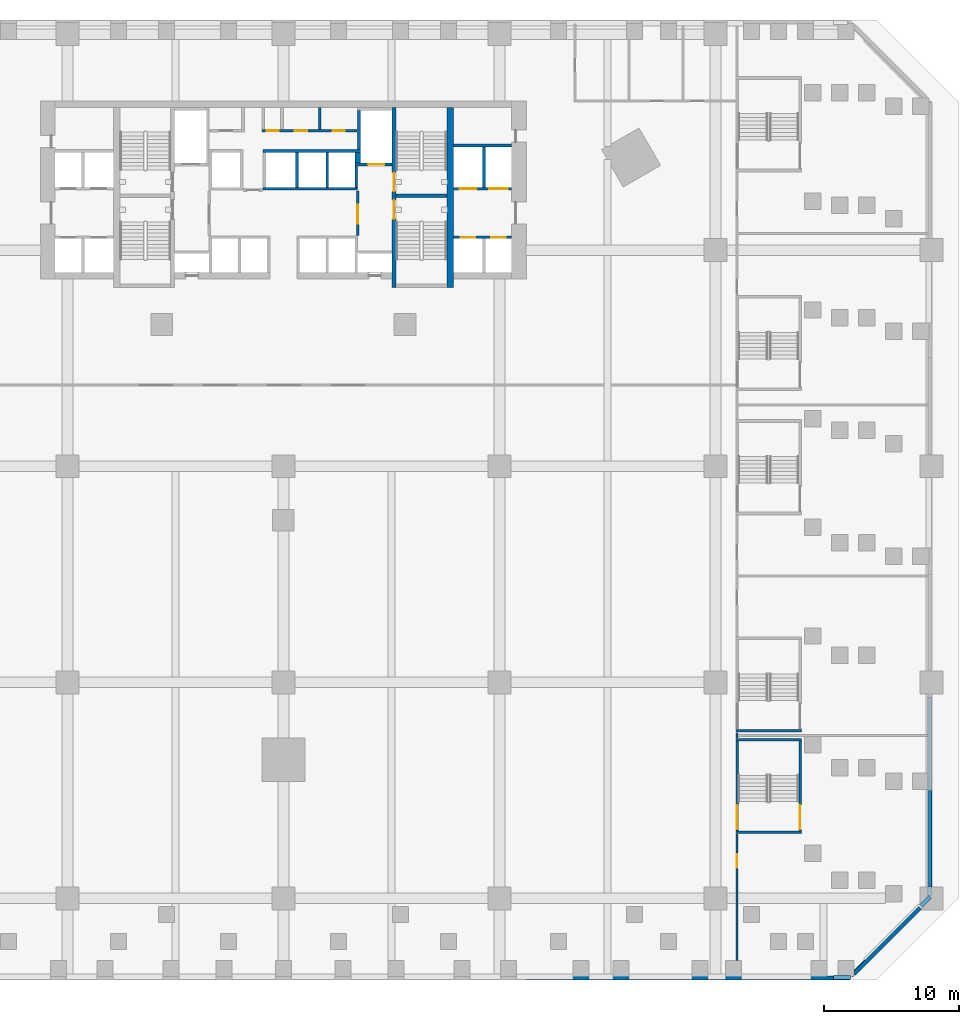
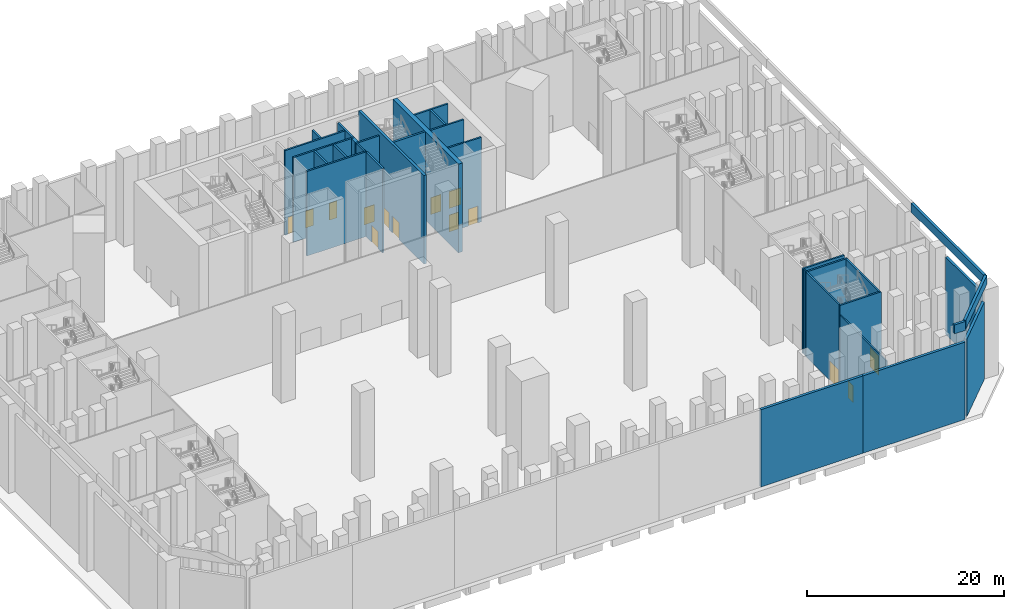
# One storey, part 9 of 31: 32 walls, 14 doors, 14 openings.
"""IFC4 building model written with IfcOpenShell, lengths in metres."""

from ifc_helpers import new_model, si_unit, direction, frame, frame_2d, origin, place, context, subcontext, project, spatial, rectangle, extrude, material, layer, layer_set, type_object, element, fill, save


model = new_model("IFC4")

# Units and contexts
model_context = context("Model", 3, precision=1e-05, world=origin(), true_north=direction((0.0, 1.0)))
body_context = subcontext(model_context, "Body", "Model", "MODEL_VIEW")
ifc_project = project(units=[si_unit("LENGTHUNIT", "METRE"), si_unit("AREAUNIT", "SQUARE_METRE"), si_unit("VOLUMEUNIT", "CUBIC_METRE"), si_unit("PLANEANGLEUNIT", "RADIAN"), si_unit("MASSUNIT", "GRAM", prefix="KILO")], contexts=[model_context])

# Site, building, storey
site_placement = place(None, origin())
site = spatial("IfcSite", under=ifc_project, at=site_placement, CompositionType="ELEMENT")
building_placement = place(site_placement, origin())
building = spatial("IfcBuilding", under=site, at=building_placement, Name="Calabash Gate Tower", CompositionType="ELEMENT")
storey_placement = place(building_placement, frame((0.0, 0.0, 9.0)))
storey = spatial("IfcBuildingStorey", under=building, at=storey_placement, Name="L01", CompositionType="ELEMENT", Elevation=9.0)

# Walls
ifc_material_1 = material(Name="Gypsum board on steel studs, mineral wool", Category="steel")
ifc_layer_1 = layer(ifc_material_1, 0.199951171875)
ifc_layer_set_1 = layer_set([ifc_layer_1], Name="Core partition 200 gypsum board")
wall_type_1 = type_object("IfcWallType", Name="Core partition 200 gypsum board", PredefinedType="PARTITIONING", material=ifc_layer_set_1)
wall_1_placement = place(storey_placement, frame((2.699951171875, 16.95263671875, 0.0), z_axis=(0.0, 0.0, 1.0), x_axis=(0.0, 1.0, 0.0)))
element("IfcWall", 1, at=wall_1_placement, inside=storey, type_object=wall_type_1, Name="Core partition", PredefinedType="PARTITIONING", context=body_context, shape_type="SweptSolid", body=[
    extrude(rectangle(XDim=1.599853515625, YDim=0.199951171875, at=frame_2d((0.7998046875, 0.0))), origin(), (0.0, 0.0, 1.0), 10.5),
])
ifc_material_2 = material(Name="Concrete C80/95", Category="concrete")
ifc_layer_2 = layer(ifc_material_2, 0.25)
ifc_layer_set_2 = layer_set([ifc_layer_2], Name="Core wall 250 Concrete C80/95")
wall_type_2 = type_object("IfcWallType", Name="Core wall 250 Concrete C80/95", PredefinedType="SHEAR", material=ifc_layer_set_2)
wall_2_placement = place(storey_placement, frame((8.35009765625, 12.027587890625, 0.0), z_axis=(0.0, 0.0, 1.0), x_axis=(1.0, 0.0, 0.0)))
element("IfcWall", 2, at=wall_2_placement, inside=storey, type_object=wall_type_2, Name="Core wall Z0-MIDE L01", PredefinedType="SHEAR", context=body_context, shape_type="SweptSolid", body=[
    extrude(rectangle(XDim=3.75, YDim=0.25, at=frame_2d((1.875, 0.0))), origin(), (0.0, 0.0, 1.0), 11.0),
])

# Wall, openings, doors
ifc_material_3 = material(Name="Concrete C80/95", Category="concrete")
ifc_layer_3 = layer(ifc_material_3, 0.300048828125)
ifc_layer_set_3 = layer_set([ifc_layer_3], Name="Core wall 300 Concrete C80/95")
wall_type_3 = type_object("IfcWallType", Name="Core wall 300 Concrete C80/95", PredefinedType="SHEAR", material=ifc_layer_set_3)
wall_3_placement = place(storey_placement, frame((8.199951171875, 5.252685546875, 0.0), z_axis=(0.0, 0.0, 1.0), x_axis=(0.0, 1.0, 0.0)))
wall_3 = element("IfcWall", 3, at=wall_3_placement, inside=storey, type_object=wall_type_3, Name="Core wall Z0-PARTE L01", PredefinedType="SHEAR", context=body_context, shape_type="SweptSolid", body=[
    extrude(rectangle(XDim=13.2998046875, YDim=0.300048828125, at=frame_2d((6.64990234375, 0.0))), origin(), (0.0, 0.0, 1.0), 11.0),
])
opening_1_placement = place(wall_3_placement, frame((7.10009765625, 0.0, 0.0)))
opening_1 = element("IfcOpeningElement", 4, at=opening_1_placement, cuts=wall_3, Name="Opening L01-003", PredefinedType="OPENING", context=body_context, shape_type="SweptSolid", body=[
    extrude(rectangle(XDim=1.39990234375, YDim=2.10009765625, at=frame_2d((0.699951171875, 1.050048828125))), frame((0.0, 0.159912109375, 0.0), z_axis=(0.0, -1.0, 0.0), x_axis=(1.0, 0.0, 0.0)), (0.0, 0.0, 1.0), 0.320068359375),
])
opening_2_placement = place(wall_3_placement, frame((5.050048828125, 0.0, 0.0)))
opening_2 = element("IfcOpeningElement", 5, at=opening_2_placement, cuts=wall_3, Name="Opening L01-004", PredefinedType="OPENING", context=body_context, shape_type="SweptSolid", body=[
    extrude(rectangle(XDim=1.39990234375, YDim=2.10009765625, at=frame_2d((0.699951171875, 1.050048828125))), frame((0.0, 0.159912109375, 0.0), z_axis=(0.0, -1.0, 0.0), x_axis=(1.0, 0.0, 0.0)), (0.0, 0.0, 1.0), 0.320068359375),
])
ifc_material_4 = material(Name="Steel fire door set with fire-resisting glazing", Category="steel")
door_type_1 = type_object("IfcDoorType", Name="Fire door D05 1400x2100 FD90", OperationType="NOTDEFINED", PredefinedType="DOOR", material=ifc_material_4)
door_1_placement = place(opening_1_placement, origin())
door_1 = element("IfcDoor", 6, at=door_1_placement, inside=storey, type_object=door_type_1, Name="Exit stair door ST3", OperationType="SINGLE_SWING_RIGHT", OverallHeight=2.10009765625, OverallWidth=1.39990234375, PredefinedType="DOOR", context=body_context, shape_type="SweptSolid", body=[
    extrude(rectangle(XDim=1.39990234375, YDim=2.10009765625, at=frame_2d((0.699951171875, 1.050048828125))), frame((0.0, 0.02490234375, 0.0), z_axis=(0.0, -1.0, 0.0), x_axis=(1.0, 0.0, 0.0)), (0.0, 0.0, 1.0), 0.050048828125),
])
fill(opening_1, door_1)
door_2_placement = place(opening_2_placement, origin())
door_2 = element("IfcDoor", 7, at=door_2_placement, inside=storey, type_object=door_type_1, Name="Exit stair door ST4", OperationType="SINGLE_SWING_LEFT", OverallHeight=2.10009765625, OverallWidth=1.39990234375, PredefinedType="DOOR", context=body_context, shape_type="SweptSolid", body=[
    extrude(rectangle(XDim=1.39990234375, YDim=2.10009765625, at=frame_2d((0.699951171875, 1.050048828125))), frame((0.0, 0.02490234375, 0.0), z_axis=(0.0, -1.0, 0.0), x_axis=(1.0, 0.0, 0.0)), (0.0, 0.0, 1.0), 0.050048828125),
])
fill(opening_2, door_2)

# Wall
ifc_material_5 = material(Name="Concrete C80/95", Category="concrete")
ifc_layer_4 = layer(ifc_material_5, 0.5)
ifc_layer_set_4 = layer_set([ifc_layer_4], Name="Core wall 500 Concrete C80/95")
wall_type_4 = type_object("IfcWallType", Name="Core wall 500 Concrete C80/95", PredefinedType="SHEAR", material=ifc_layer_set_4)
wall_4_placement = place(storey_placement, frame((12.35009765625, 5.252685546875, 0.0), z_axis=(0.0, 0.0, 1.0), x_axis=(0.0, 1.0, 0.0)))
element("IfcWall", 8, at=wall_4_placement, inside=storey, type_object=wall_type_4, Name="Core wall Z0-COLE L01", PredefinedType="SHEAR", context=body_context, shape_type="SweptSolid", body=[
    extrude(rectangle(XDim=13.2998046875, YDim=0.5, at=frame_2d((6.64990234375, 0.0))), origin(), (0.0, 0.0, 1.0), 11.0),
])

# Wall, opening, door
ifc_material_6 = material(Name="Gypsum board on steel studs, mineral wool", Category="steel")
ifc_layer_5 = layer(ifc_material_6, 0.14990234375)
ifc_layer_set_5 = layer_set([ifc_layer_5], Name="Partition 150 gypsum board")
wall_type_5 = type_object("IfcWallType", Name="Partition 150 gypsum board", PredefinedType="PARTITIONING", material=ifc_layer_set_5)
wall_5_placement = place(storey_placement, frame((33.60009765625, -44.60009765625, 0.0), z_axis=(0.0, 0.0, 1.0), x_axis=(0.0, 1.0, 0.0)))
wall_5 = element("IfcWall", 9, at=wall_5_placement, inside=storey, type_object=wall_type_5, Name="Partition", PredefinedType="PARTITIONING", context=body_context, shape_type="SweptSolid", body=[
    extrude(rectangle(XDim=9.360107421875, YDim=0.14990234375, at=frame_2d((4.68017578125, 0.0))), origin(), (0.0, 0.0, 1.0), 9.300048828125),
])
opening_3_placement = place(wall_5_placement, frame((6.84912109375, 0.0, 0.0)))
opening_3 = element("IfcOpeningElement", 10, at=opening_3_placement, cuts=wall_5, Name="Opening L01-053", PredefinedType="OPENING", context=body_context, shape_type="SweptSolid", body=[
    extrude(rectangle(XDim=1.0, YDim=2.10009765625, at=frame_2d((0.5, 1.050048828125))), frame((0.0, 0.0849609375, 0.0), z_axis=(0.0, -1.0, 0.0), x_axis=(1.0, 0.0, 0.0)), (0.0, 0.0, 1.0), 0.169921875),
])
ifc_material_7 = material(Name="Steel fire door set with fire-resisting glazing", Category="steel")
door_type_2 = type_object("IfcDoorType", Name="Fire door D11 1000x2100 FD60", OperationType="NOTDEFINED", PredefinedType="DOOR", material=ifc_material_7)
door_3_placement = place(opening_3_placement, origin())
door_3 = element("IfcDoor", 11, at=door_3_placement, inside=storey, type_object=door_type_2, Name="Exhibitor Registration door", OperationType="SINGLE_SWING_LEFT", OverallHeight=2.10009765625, OverallWidth=1.0, PredefinedType="DOOR", context=body_context, shape_type="SweptSolid", body=[
    extrude(rectangle(XDim=1.0, YDim=2.10009765625, at=frame_2d((0.5, 1.050048828125))), frame((0.0, 0.02490234375, 0.0), z_axis=(0.0, -1.0, 0.0), x_axis=(1.0, 0.0, 0.0)), (0.0, 0.0, 1.0), 0.050048828125),
])
fill(opening_3, door_3)

# Walls
wall_6_placement = place(storey_placement, frame((33.60009765625, -28.110107421875, 0.0), z_axis=(0.0, 0.0, 1.0), x_axis=(0.0, 1.0, 0.0)))
element("IfcWall", 12, at=wall_6_placement, inside=storey, type_object=wall_type_5, Name="Partition", PredefinedType="PARTITIONING", context=body_context, shape_type="SweptSolid", body=[
    extrude(rectangle(XDim=0.3701171875, YDim=0.14990234375, at=frame_2d((0.18505859375, 0.0))), origin(), (0.0, 0.0, 1.0), 10.5),
])
ifc_material_8 = material(Name="Terracotta brick masonry, exposed face", Category="masonry")
ifc_layer_6 = layer(ifc_material_8, 0.300048828125)
ifc_layer_set_6 = layer_set([ifc_layer_6], Name="Podium brick wall 300")
wall_type_6 = type_object("IfcWallType", Name="Podium brick wall 300", PredefinedType="SOLIDWALL", material=ifc_layer_set_6)
wall_7_placement = place(storey_placement, frame((17.978515625, -45.89990234375, 0.0), z_axis=(0.0, 0.0, 1.0), x_axis=(1.0, 0.0, 0.0)))
element("IfcWall", 13, at=wall_7_placement, inside=storey, type_object=wall_type_6, Name="Podium brick wall L01 0.0.5", PredefinedType="SOLIDWALL", context=body_context, shape_type="SweptSolid", body=[
    extrude(rectangle(XDim=11.98583984375, YDim=0.300048828125, at=frame_2d((5.992919921875, 0.0))), origin(), (0.0, 0.0, 1.0), 9.60009765625),
])
wall_8_placement = place(storey_placement, frame((29.96435546875, -45.89990234375, 0.0), z_axis=(0.0, 0.0, 1.0), x_axis=(1.0, 0.0, 0.0)))
element("IfcWall", 14, at=wall_8_placement, inside=storey, type_object=wall_type_6, Name="Podium brick wall L01 0.0.6", PredefinedType="SOLIDWALL", context=body_context, shape_type="SweptSolid", body=[
    extrude(rectangle(XDim=11.985595703125, YDim=0.300048828125, at=frame_2d((5.99267578125, 0.0))), origin(), (0.0, 0.0, 1.0), 9.60009765625),
])
wall_9_placement = place(storey_placement, frame((42.27099609375, -45.587646484375, 0.0), z_axis=(0.0, 0.0, 1.0), x_axis=(0.707106781187, 0.707106781187, 0.0)))
element("IfcWall", 15, at=wall_9_placement, inside=storey, type_object=wall_type_6, Name="Podium brick wall L01 1.0.0", PredefinedType="SOLIDWALL", context=body_context, shape_type="SweptSolid", body=[
    extrude(rectangle(XDim=6.89697265625, YDim=0.300048828125, at=frame_2d((3.448486328125, 0.0))), origin(), (0.0, 0.0, 1.0), 9.60009765625),
])
wall_10_placement = place(storey_placement, frame((47.89990234375, -39.14794921875, 0.0), z_axis=(0.0, 0.0, 1.0), x_axis=(0.0, 1.0, 0.0)))
element("IfcWall", 16, at=wall_10_placement, inside=storey, type_object=wall_type_6, Name="Podium brick wall L01 2.0.0", PredefinedType="SOLIDWALL", context=body_context, shape_type="SweptSolid", body=[
    extrude(rectangle(XDim=7.14794921875, YDim=0.300048828125, at=frame_2d((3.573974609375, 0.0))), origin(), (0.0, 0.0, 1.0), 9.60009765625),
])
ifc_material_9 = material(Name="Terracotta brick masonry, exposed face", Category="masonry")
ifc_layer_7 = layer(ifc_material_9, 0.300048828125)
ifc_layer_set_7 = layer_set([ifc_layer_7], Name="Podium parapet wall 300")
wall_type_7 = type_object("IfcWallType", Name="Podium parapet wall 300", PredefinedType="PARAPET", material=ifc_layer_set_7)
wall_11_placement = place(storey_placement, frame((40.75, -45.85009765625, 11.0), z_axis=(0.0, 0.0, 1.0), x_axis=(1.0, 0.0, 0.0)))
element("IfcWall", 17, at=wall_11_placement, inside=storey, type_object=wall_type_7, Name="Podium parapet L01 0.1.0", PredefinedType="PARAPET", context=body_context, shape_type="SweptSolid", body=[
    extrude(rectangle(XDim=1.25, YDim=0.300048828125, at=frame_2d((0.625, 0.0))), origin(), (0.0, 0.0, 1.0), 1.10009765625),
])
wall_12_placement = place(storey_placement, frame((42.04248046875, -45.745361328125, 11.0), z_axis=(0.0, 0.0, 1.0), x_axis=(0.7071215324, 0.707092029666, 0.0)))
element("IfcWall", 18, at=wall_12_placement, inside=storey, type_object=wall_type_7, Name="Podium parapet L01 1.0.0", PredefinedType="PARAPET", context=body_context, shape_type="SweptSolid", body=[
    extrude(rectangle(XDim=8.275146484375, YDim=0.300048828125, at=frame_2d((4.1376953125, 0.0))), origin(), (0.0, 0.0, 1.0), 1.10009765625),
])
wall_13_placement = place(storey_placement, frame((47.85009765625, -39.7900390625, 11.0), z_axis=(0.0, 0.0, 1.0), x_axis=(0.0, 1.0, 0.0)))
element("IfcWall", 19, at=wall_13_placement, inside=storey, type_object=wall_type_7, Name="Podium parapet L01 2.0.0", PredefinedType="PARAPET", context=body_context, shape_type="SweptSolid", body=[
    extrude(rectangle(XDim=14.697509765625, YDim=0.300048828125, at=frame_2d((7.3486328125, 0.0))), origin(), (0.0, 0.0, 1.0), 1.10009765625),
])

# Wall, openings, doors
ifc_material_10 = material(Name="Concrete C40/50", Category="concrete")
ifc_layer_8 = layer(ifc_material_10, 0.199951171875)
ifc_layer_set_8 = layer_set([ifc_layer_8], Name="Shaft wall 200 Concrete C40/50")
wall_type_8 = type_object("IfcWallType", Name="Shaft wall 200 Concrete C40/50", PredefinedType="SOLIDWALL", material=ifc_layer_set_8)
wall_14_placement = place(storey_placement, frame((12.60009765625, 8.95263671875, 0.0), z_axis=(0.0, 0.0, 1.0), x_axis=(1.0, 0.0, 0.0)))
wall_14 = element("IfcWall", 20, at=wall_14_placement, inside=storey, type_object=wall_type_8, Name="Shaft wall", PredefinedType="SOLIDWALL", context=body_context, shape_type="SweptSolid", body=[
    extrude(rectangle(XDim=4.2998046875, YDim=0.199951171875, at=frame_2d((2.14990234375, 0.0))), origin(), (0.0, 0.0, 1.0), 10.5),
])
opening_4_placement = place(wall_14_placement, frame((0.52490234375, 0.0, 0.0)))
opening_4 = element("IfcOpeningElement", 21, at=opening_4_placement, cuts=wall_14, Name="Opening LD-LR5", PredefinedType="OPENING", context=body_context, shape_type="SweptSolid", body=[
    extrude(rectangle(XDim=1.10009765625, YDim=2.10009765625, at=frame_2d((0.550048828125, 1.050048828125))), frame((0.0, 0.10986328125, 0.0), z_axis=(0.0, -1.0, 0.0), x_axis=(1.0, 0.0, 0.0)), (0.0, 0.0, 1.0), 0.219970703125),
])
opening_5_placement = place(wall_14_placement, frame((2.77490234375, 0.0, 0.0)))
opening_5 = element("IfcOpeningElement", 22, at=opening_5_placement, cuts=wall_14, Name="Opening LD-LR6", PredefinedType="OPENING", context=body_context, shape_type="SweptSolid", body=[
    extrude(rectangle(XDim=1.10009765625, YDim=2.10009765625, at=frame_2d((0.550048828125, 1.050048828125))), frame((0.0, 0.10986328125, 0.0), z_axis=(0.0, -1.0, 0.0), x_axis=(1.0, 0.0, 0.0)), (0.0, 0.0, 1.0), 0.219970703125),
])
ifc_material_11 = material(Name="Stainless steel sliding door leaves", Category="steel")
door_type_3 = type_object("IfcDoorType", Name="Lift landing door LS1 1100x2100 FD90", OperationType="DOUBLE_DOOR_SLIDING", PredefinedType="DOOR", material=ifc_material_11)
door_4_placement = place(opening_4_placement, origin())
door_4 = element("IfcDoor", 23, at=door_4_placement, inside=storey, type_object=door_type_3, Name="Lift landing door LR5", OperationType="DOUBLE_DOOR_SLIDING", OverallHeight=2.10009765625, OverallWidth=1.10009765625, PredefinedType="DOOR", context=body_context, shape_type="SweptSolid", body=[
    extrude(rectangle(XDim=1.10009765625, YDim=2.10009765625, at=frame_2d((0.550048828125, 1.050048828125))), frame((0.0, 0.02490234375, 0.0), z_axis=(0.0, -1.0, 0.0), x_axis=(1.0, 0.0, 0.0)), (0.0, 0.0, 1.0), 0.050048828125),
])
fill(opening_4, door_4)
door_5_placement = place(opening_5_placement, origin())
door_5 = element("IfcDoor", 24, at=door_5_placement, inside=storey, type_object=door_type_3, Name="Lift landing door LR6", OperationType="DOUBLE_DOOR_SLIDING", OverallHeight=2.10009765625, OverallWidth=1.10009765625, PredefinedType="DOOR", context=body_context, shape_type="SweptSolid", body=[
    extrude(rectangle(XDim=1.10009765625, YDim=2.10009765625, at=frame_2d((0.550048828125, 1.050048828125))), frame((0.0, 0.02490234375, 0.0), z_axis=(0.0, -1.0, 0.0), x_axis=(1.0, 0.0, 0.0)), (0.0, 0.0, 1.0), 0.050048828125),
])
fill(opening_5, door_5)

# Wall, opening, door
wall_15_placement = place(storey_placement, frame((5.5, 9.1025390625, 0.0), z_axis=(0.0, 0.0, 1.0), x_axis=(0.0, 1.0, 0.0)))
wall_15 = element("IfcWall", 25, at=wall_15_placement, inside=storey, type_object=wall_type_8, Name="Shaft wall", PredefinedType="SOLIDWALL", context=body_context, shape_type="SweptSolid", body=[
    extrude(rectangle(XDim=3.300048828125, YDim=0.199951171875, at=frame_2d((1.64990234375, 0.0))), origin(), (0.0, 0.0, 1.0), 10.5),
])
opening_6_placement = place(wall_15_placement, frame((0.85009765625, 0.0, 0.0)))
opening_6 = element("IfcOpeningElement", 26, at=opening_6_placement, cuts=wall_15, Name="Opening L01-007", PredefinedType="OPENING", context=body_context, shape_type="SweptSolid", body=[
    extrude(rectangle(XDim=1.39990234375, YDim=2.10009765625, at=frame_2d((0.699951171875, 1.050048828125))), frame((0.0, 0.10986328125, 0.0), z_axis=(0.0, -1.0, 0.0), x_axis=(1.0, 0.0, 0.0)), (0.0, 0.0, 1.0), 0.219970703125),
])
door_6_placement = place(opening_6_placement, origin())
door_6 = element("IfcDoor", 27, at=door_6_placement, inside=storey, type_object=door_type_1, Name="Firefighting Lobby E door", OperationType="SINGLE_SWING_LEFT", OverallHeight=2.10009765625, OverallWidth=1.39990234375, PredefinedType="DOOR", context=body_context, shape_type="SweptSolid", body=[
    extrude(rectangle(XDim=1.39990234375, YDim=2.10009765625, at=frame_2d((0.699951171875, 1.050048828125))), frame((0.0, 0.02490234375, 0.0), z_axis=(0.0, -1.0, 0.0), x_axis=(1.0, 0.0, 0.0)), (0.0, 0.0, 1.0), 0.050048828125),
])
fill(opening_6, door_6)

# Wall
wall_16_placement = place(storey_placement, frame((-1.5, 12.552490234375, 0.0), z_axis=(0.0, 0.0, 1.0), x_axis=(1.0, 0.0, 0.0)))
element("IfcWall", 28, at=wall_16_placement, inside=storey, type_object=wall_type_8, Name="Shaft wall", PredefinedType="SOLIDWALL", context=body_context, shape_type="SweptSolid", body=[
    extrude(rectangle(XDim=7.0, YDim=0.199951171875, at=frame_2d((3.5, 0.0))), origin(), (0.0, 0.0, 1.0), 10.5),
])

# Wall, openings, doors
wall_17_placement = place(storey_placement, frame((12.60009765625, 12.552490234375, 0.0), z_axis=(0.0, 0.0, 1.0), x_axis=(1.0, 0.0, 0.0)))
wall_17 = element("IfcWall", 29, at=wall_17_placement, inside=storey, type_object=wall_type_8, Name="Shaft wall", PredefinedType="SOLIDWALL", context=body_context, shape_type="SweptSolid", body=[
    extrude(rectangle(XDim=4.2998046875, YDim=0.199951171875, at=frame_2d((2.14990234375, 0.0))), origin(), (0.0, 0.0, 1.0), 10.5),
])
opening_7_placement = place(wall_17_placement, frame((0.47509765625, 0.0, 0.0)))
opening_7 = element("IfcOpeningElement", 30, at=opening_7_placement, cuts=wall_17, Name="Opening LD-SL1", PredefinedType="OPENING", context=body_context, shape_type="SweptSolid", body=[
    extrude(rectangle(XDim=1.199951171875, YDim=2.10009765625, at=frame_2d((0.60009765625, 1.050048828125))), frame((0.0, 0.10986328125, 0.0), z_axis=(0.0, -1.0, 0.0), x_axis=(1.0, 0.0, 0.0)), (0.0, 0.0, 1.0), 0.219970703125),
])
opening_8_placement = place(wall_17_placement, frame((2.625, 0.0, 0.0)))
opening_8 = element("IfcOpeningElement", 31, at=opening_8_placement, cuts=wall_17, Name="Opening LD-GL1", PredefinedType="OPENING", context=body_context, shape_type="SweptSolid", body=[
    extrude(rectangle(XDim=1.39990234375, YDim=2.10009765625, at=frame_2d((0.699951171875, 1.050048828125))), frame((0.0, 0.10986328125, 0.0), z_axis=(0.0, -1.0, 0.0), x_axis=(1.0, 0.0, 0.0)), (0.0, 0.0, 1.0), 0.219970703125),
])
ifc_material_12 = material(Name="Stainless steel sliding door leaves", Category="steel")
door_type_4 = type_object("IfcDoorType", Name="Lift landing door LS3 1200x2100 FD90", OperationType="DOUBLE_DOOR_SLIDING", PredefinedType="DOOR", material=ifc_material_12)
door_7_placement = place(opening_7_placement, origin())
door_7 = element("IfcDoor", 32, at=door_7_placement, inside=storey, type_object=door_type_4, Name="Lift landing door SL1", OperationType="DOUBLE_DOOR_SLIDING", OverallHeight=2.10009765625, OverallWidth=1.199951171875, PredefinedType="DOOR", context=body_context, shape_type="SweptSolid", body=[
    extrude(rectangle(XDim=1.199951171875, YDim=2.10009765625, at=frame_2d((0.60009765625, 1.050048828125))), frame((0.0, 0.02490234375, 0.0), z_axis=(0.0, -1.0, 0.0), x_axis=(1.0, 0.0, 0.0)), (0.0, 0.0, 1.0), 0.050048828125),
])
fill(opening_7, door_7)
ifc_material_13 = material(Name="Stainless steel sliding door leaves", Category="steel")
door_type_5 = type_object("IfcDoorType", Name="Lift landing door LS4 1400x2100 FD90", OperationType="DOUBLE_DOOR_SLIDING", PredefinedType="DOOR", material=ifc_material_13)
door_8_placement = place(opening_8_placement, origin())
door_8 = element("IfcDoor", 33, at=door_8_placement, inside=storey, type_object=door_type_5, Name="Lift landing door GL1", OperationType="DOUBLE_DOOR_SLIDING", OverallHeight=2.10009765625, OverallWidth=1.39990234375, PredefinedType="DOOR", context=body_context, shape_type="SweptSolid", body=[
    extrude(rectangle(XDim=1.39990234375, YDim=2.10009765625, at=frame_2d((0.699951171875, 1.050048828125))), frame((0.0, 0.02490234375, 0.0), z_axis=(0.0, -1.0, 0.0), x_axis=(1.0, 0.0, 0.0)), (0.0, 0.0, 1.0), 0.050048828125),
])
fill(opening_8, door_8)

# Walls
for number, where, z_axis, x_axis, name in (
    (34, (1.0, 12.652587890625, 0.0), (0.0, 0.0, 1.0), (0.0, 1.0, 0.0), "Shaft wall"),
    (35, (3.25, 12.652587890625, 0.0), (0.0, 0.0, 1.0), (0.0, 1.0, 0.0), "Shaft wall"),
):
    element("IfcWall", number, at=place(storey_placement, frame(where, z_axis=z_axis, x_axis=x_axis)), inside=storey, type_object=wall_type_8, Name=name, PredefinedType="SOLIDWALL", context=body_context, shape_type="SweptSolid", body=[
        extrude(rectangle(XDim=2.60009765625, YDim=0.199951171875, at=frame_2d((1.300048828125, 0.0))), origin(), (0.0, 0.0, 1.0), 10.5),
    ])
wall_18_placement = place(storey_placement, frame((5.39990234375, 12.652587890625, 0.0), z_axis=(0.0, 0.0, 1.0), x_axis=(0.0, 1.0, 0.0)))
element("IfcWall", 36, at=wall_18_placement, inside=storey, type_object=wall_type_8, Name="Shaft wall", PredefinedType="SOLIDWALL", context=body_context, shape_type="SweptSolid", body=[
    extrude(rectangle(XDim=1.60009765625, YDim=0.199951171875, at=frame_2d((0.800048828125, 0.0))), origin(), (0.0, 0.0, 1.0), 10.5),
])
wall_19_placement = place(storey_placement, frame((14.85009765625, 12.652587890625, 0.0), z_axis=(0.0, 0.0, 1.0), x_axis=(0.0, 1.0, 0.0)))
element("IfcWall", 37, at=wall_19_placement, inside=storey, type_object=wall_type_8, Name="Shaft wall", PredefinedType="SOLIDWALL", context=body_context, shape_type="SweptSolid", body=[
    extrude(rectangle(XDim=3.0, YDim=0.199951171875, at=frame_2d((1.5, 0.0))), origin(), (0.0, 0.0, 1.0), 10.5),
])

# Wall, opening, door
wall_20_placement = place(storey_placement, frame((5.300048828125, 14.3525390625, 0.0), z_axis=(0.0, 0.0, 1.0), x_axis=(1.0, 0.0, 0.0)))
wall_20 = element("IfcWall", 38, at=wall_20_placement, inside=storey, type_object=wall_type_8, Name="Shaft wall", PredefinedType="SOLIDWALL", context=body_context, shape_type="SweptSolid", body=[
    extrude(rectangle(XDim=2.75, YDim=0.199951171875, at=frame_2d((1.375, 0.0))), origin(), (0.0, 0.0, 1.0), 10.5),
])
opening_9_placement = place(wall_20_placement, frame((0.97509765625, 0.0, 0.0)))
opening_9 = element("IfcOpeningElement", 39, at=opening_9_placement, cuts=wall_20, Name="Opening LD-FF2", PredefinedType="OPENING", context=body_context, shape_type="SweptSolid", body=[
    extrude(rectangle(XDim=1.199951171875, YDim=2.10009765625, at=frame_2d((0.60009765625, 1.050048828125))), frame((0.0, 0.10986328125, 0.0), z_axis=(0.0, -1.0, 0.0), x_axis=(1.0, 0.0, 0.0)), (0.0, 0.0, 1.0), 0.219970703125),
])
door_9_placement = place(opening_9_placement, origin())
door_9 = element("IfcDoor", 40, at=door_9_placement, inside=storey, type_object=door_type_4, Name="Lift landing door FF2", OperationType="DOUBLE_DOOR_SLIDING", OverallHeight=2.10009765625, OverallWidth=1.199951171875, PredefinedType="DOOR", context=body_context, shape_type="SweptSolid", body=[
    extrude(rectangle(XDim=1.199951171875, YDim=2.10009765625, at=frame_2d((0.60009765625, 1.050048828125))), frame((0.0, 0.02490234375, 0.0), z_axis=(0.0, -1.0, 0.0), x_axis=(1.0, 0.0, 0.0)), (0.0, 0.0, 1.0), 0.050048828125),
])
fill(opening_9, door_9)

# Walls
wall_21_placement = place(storey_placement, frame((5.5, 14.45263671875, 0.0), z_axis=(0.0, 0.0, 1.0), x_axis=(0.0, 1.0, 0.0)))
element("IfcWall", 41, at=wall_21_placement, inside=storey, type_object=wall_type_8, Name="Shaft wall", PredefinedType="SOLIDWALL", context=body_context, shape_type="SweptSolid", body=[
    extrude(rectangle(XDim=0.800048828125, YDim=0.39990234375, at=frame_2d((0.39990234375, 0.0))), origin(), (0.0, 0.0, 1.0), 10.5),
])
wall_22_placement = place(storey_placement, frame((-1.5, 15.3525390625, 0.0), z_axis=(0.0, 0.0, 1.0), x_axis=(1.0, 0.0, 0.0)))
element("IfcWall", 42, at=wall_22_placement, inside=storey, type_object=wall_type_8, Name="Shaft wall", PredefinedType="SOLIDWALL", context=body_context, shape_type="SweptSolid", body=[
    extrude(rectangle(XDim=7.199951171875, YDim=0.199951171875, at=frame_2d((3.60009765625, 0.0))), origin(), (0.0, 0.0, 1.0), 10.5),
])
wall_23_placement = place(storey_placement, frame((5.60009765625, 15.45263671875, 0.0), z_axis=(0.0, 0.0, 1.0), x_axis=(0.0, 1.0, 0.0)))
element("IfcWall", 43, at=wall_23_placement, inside=storey, type_object=wall_type_8, Name="Shaft wall", PredefinedType="SOLIDWALL", context=body_context, shape_type="SweptSolid", body=[
    extrude(rectangle(XDim=2.89990234375, YDim=0.199951171875, at=frame_2d((1.449951171875, 0.0))), origin(), (0.0, 0.0, 1.0), 10.5),
])
wall_24_placement = place(storey_placement, frame((12.60009765625, 15.752685546875, 0.0), z_axis=(0.0, 0.0, 1.0), x_axis=(1.0, 0.0, 0.0)))
element("IfcWall", 44, at=wall_24_placement, inside=storey, type_object=wall_type_8, Name="Shaft wall", PredefinedType="SOLIDWALL", context=body_context, shape_type="SweptSolid", body=[
    extrude(rectangle(XDim=4.2998046875, YDim=0.199951171875, at=frame_2d((2.14990234375, 0.0))), origin(), (0.0, 0.0, 1.0), 10.5),
])

# Wall, openings, doors
wall_25_placement = place(storey_placement, frame((-1.60009765625, 16.8525390625, 0.0), z_axis=(0.0, 0.0, 1.0), x_axis=(1.0, 0.0, 0.0)))
wall_25 = element("IfcWall", 45, at=wall_25_placement, inside=storey, type_object=wall_type_8, Name="Shaft wall", PredefinedType="SOLIDWALL", context=body_context, shape_type="SweptSolid", body=[
    extrude(rectangle(XDim=7.050048828125, YDim=0.199951171875, at=frame_2d((3.52490234375, 0.0))), origin(), (0.0, 0.0, 1.0), 10.5),
])
opening_10_placement = place(wall_25_placement, frame((0.35009765625, 0.0, 0.0)))
opening_10 = element("IfcOpeningElement", 46, at=opening_10_placement, cuts=wall_25, Name="Opening L01-009", PredefinedType="OPENING", context=body_context, shape_type="SweptSolid", body=[
    extrude(rectangle(XDim=0.89990234375, YDim=2.10009765625, at=frame_2d((0.449951171875, 1.050048828125))), frame((0.0, 0.10986328125, 0.0), z_axis=(0.0, -1.0, 0.0), x_axis=(1.0, 0.0, 0.0)), (0.0, 0.0, 1.0), 0.219970703125),
])
opening_11_placement = place(wall_25_placement, frame((2.449951171875, 0.0, 0.0)))
opening_11 = element("IfcOpeningElement", 47, at=opening_11_placement, cuts=wall_25, Name="Opening L01-010", PredefinedType="OPENING", context=body_context, shape_type="SweptSolid", body=[
    extrude(rectangle(XDim=0.89990234375, YDim=2.10009765625, at=frame_2d((0.449951171875, 1.050048828125))), frame((0.0, 0.10986328125, 0.0), z_axis=(0.0, -1.0, 0.0), x_axis=(1.0, 0.0, 0.0)), (0.0, 0.0, 1.0), 0.219970703125),
])
opening_12_placement = place(wall_25_placement, frame((5.25, 0.0, 0.0)))
opening_12 = element("IfcOpeningElement", 48, at=opening_12_placement, cuts=wall_25, Name="Opening L01-011", PredefinedType="OPENING", context=body_context, shape_type="SweptSolid", body=[
    extrude(rectangle(XDim=0.89990234375, YDim=2.10009765625, at=frame_2d((0.449951171875, 1.050048828125))), frame((0.0, 0.10986328125, 0.0), z_axis=(0.0, -1.0, 0.0), x_axis=(1.0, 0.0, 0.0)), (0.0, 0.0, 1.0), 0.219970703125),
])
ifc_material_14 = material(Name="Steel fire door set with fire-resisting glazing", Category="steel")
door_type_6 = type_object("IfcDoorType", Name="Fire door D06 900x2100 FD60", OperationType="NOTDEFINED", PredefinedType="DOOR", material=ifc_material_14)
door_10_placement = place(opening_10_placement, origin())
door_10 = element("IfcDoor", 49, at=door_10_placement, inside=storey, type_object=door_type_6, Name="Cleaner's Store door", OperationType="SINGLE_SWING_LEFT", OverallHeight=2.10009765625, OverallWidth=0.89990234375, PredefinedType="DOOR", context=body_context, shape_type="SweptSolid", body=[
    extrude(rectangle(XDim=0.89990234375, YDim=2.10009765625, at=frame_2d((0.449951171875, 1.050048828125))), frame((0.0, 0.02490234375, 0.0), z_axis=(0.0, -1.0, 0.0), x_axis=(1.0, 0.0, 0.0)), (0.0, 0.0, 1.0), 0.050048828125),
])
fill(opening_10, door_10)
door_11_placement = place(opening_11_placement, origin())
door_11 = element("IfcDoor", 50, at=door_11_placement, inside=storey, type_object=door_type_6, Name="Comms Room door", OperationType="SINGLE_SWING_LEFT", OverallHeight=2.10009765625, OverallWidth=0.89990234375, PredefinedType="DOOR", context=body_context, shape_type="SweptSolid", body=[
    extrude(rectangle(XDim=0.89990234375, YDim=2.10009765625, at=frame_2d((0.449951171875, 1.050048828125))), frame((0.0, 0.02490234375, 0.0), z_axis=(0.0, -1.0, 0.0), x_axis=(1.0, 0.0, 0.0)), (0.0, 0.0, 1.0), 0.050048828125),
])
fill(opening_11, door_11)
door_12_placement = place(opening_12_placement, origin())
door_12 = element("IfcDoor", 51, at=door_12_placement, inside=storey, type_object=door_type_6, Name="Staff WC door", OperationType="SINGLE_SWING_RIGHT", OverallHeight=2.10009765625, OverallWidth=0.89990234375, PredefinedType="DOOR", context=body_context, shape_type="SweptSolid", body=[
    extrude(rectangle(XDim=0.89990234375, YDim=2.10009765625, at=frame_2d((0.449951171875, 1.050048828125))), frame((0.0, 0.02490234375, 0.0), z_axis=(0.0, -1.0, 0.0), x_axis=(1.0, 0.0, 0.0)), (0.0, 0.0, 1.0), 0.050048828125),
])
fill(opening_12, door_12)

# Walls
ifc_material_15 = material(Name="Concrete C40/50", Category="concrete")
ifc_layer_9 = layer(ifc_material_15, 0.199951171875)
ifc_layer_set_9 = layer_set([ifc_layer_9], Name="Stair wall 200 Concrete C40/50")
wall_type_9 = type_object("IfcWallType", Name="Stair wall 200 Concrete C40/50", PredefinedType="SOLIDWALL", material=ifc_layer_set_9)
for number, where, z_axis, x_axis, name in (
    (52, (33.5, -35.10009765625, 0.0), (0.0, 0.0, 1.0), (1.0, 0.0, 0.0), "Stair wall"),
    (53, (33.5, -28.25, 0.0), (0.0, 0.0, 1.0), (1.0, 0.0, 0.0), "Stair wall"),
):
    element("IfcWall", number, at=place(storey_placement, frame(where, z_axis=z_axis, x_axis=x_axis)), inside=storey, type_object=wall_type_9, Name=name, PredefinedType="SOLIDWALL", context=body_context, shape_type="SweptSolid", body=[
        extrude(rectangle(XDim=4.8701171875, YDim=0.199951171875, at=frame_2d((2.43505859375, 0.0))), origin(), (0.0, 0.0, 1.0), 10.5),
    ])

# Wall, opening, door
wall_26_placement = place(storey_placement, frame((33.60009765625, -35.0, 0.0), z_axis=(0.0, 0.0, 1.0), x_axis=(0.0, 1.0, 0.0)))
wall_26 = element("IfcWall", 54, at=wall_26_placement, inside=storey, type_object=wall_type_9, Name="Stair wall", PredefinedType="SOLIDWALL", context=body_context, shape_type="SweptSolid", body=[
    extrude(rectangle(XDim=6.64990234375, YDim=0.199951171875, at=frame_2d((3.324951171875, 0.0))), origin(), (0.0, 0.0, 1.0), 10.5),
])
opening_13_placement = place(wall_26_placement, frame((0.10009765625, 0.0, 0.0)))
opening_13 = element("IfcOpeningElement", 55, at=opening_13_placement, cuts=wall_26, Name="Opening L01-028", PredefinedType="OPENING", context=body_context, shape_type="SweptSolid", body=[
    extrude(rectangle(XDim=1.800048828125, YDim=2.39990234375, at=frame_2d((0.89990234375, 1.199951171875))), frame((0.0, 0.10986328125, 0.0), z_axis=(0.0, -1.0, 0.0), x_axis=(1.0, 0.0, 0.0)), (0.0, 0.0, 1.0), 0.219970703125),
])
ifc_material_16 = material(Name="Steel fire door set with fire-resisting glazing", Category="steel")
door_type_7 = type_object("IfcDoorType", Name="Double fire door D16 1800x2400 FD90", OperationType="DOUBLE_DOOR_SINGLE_SWING", PredefinedType="DOOR", material=ifc_material_16)
door_13_placement = place(opening_13_placement, origin())
door_13 = element("IfcDoor", 56, at=door_13_placement, inside=storey, type_object=door_type_7, Name="Exit stair door PS6", OperationType="DOUBLE_DOOR_SINGLE_SWING", OverallHeight=2.39990234375, OverallWidth=1.800048828125, PredefinedType="DOOR", context=body_context, shape_type="SweptSolid", body=[
    extrude(rectangle(XDim=1.800048828125, YDim=2.39990234375, at=frame_2d((0.89990234375, 1.199951171875))), frame((0.0, 0.02490234375, 0.0), z_axis=(0.0, -1.0, 0.0), x_axis=(1.0, 0.0, 0.0)), (0.0, 0.0, 1.0), 0.050048828125),
])
fill(opening_13, door_13)

wall_27_placement = place(storey_placement, frame((38.27001953125, -35.0, 0.0), z_axis=(0.0, 0.0, 1.0), x_axis=(0.0, 1.0, 0.0)))
wall_27 = element("IfcWall", 57, at=wall_27_placement, inside=storey, type_object=wall_type_9, Name="Stair wall", PredefinedType="SOLIDWALL", context=body_context, shape_type="SweptSolid", body=[
    extrude(rectangle(XDim=6.64990234375, YDim=0.199951171875, at=frame_2d((3.324951171875, 0.0))), origin(), (0.0, 0.0, 1.0), 10.5),
])
opening_14_placement = place(wall_27_placement, frame((0.10009765625, 0.0, 0.0)))
opening_14 = element("IfcOpeningElement", 58, at=opening_14_placement, cuts=wall_27, Name="Opening L01-029", PredefinedType="OPENING", context=body_context, shape_type="SweptSolid", body=[
    extrude(rectangle(XDim=1.800048828125, YDim=2.39990234375, at=frame_2d((0.89990234375, 1.199951171875))), frame((0.0, 0.10986328125, 0.0), z_axis=(0.0, -1.0, 0.0), x_axis=(1.0, 0.0, 0.0)), (0.0, 0.0, 1.0), 0.219970703125),
])
door_14_placement = place(opening_14_placement, origin())
door_14 = element("IfcDoor", 59, at=door_14_placement, inside=storey, type_object=door_type_7, Name="Exit stair door PS6", OperationType="DOUBLE_DOOR_SINGLE_SWING", OverallHeight=2.39990234375, OverallWidth=1.800048828125, PredefinedType="DOOR", context=body_context, shape_type="SweptSolid", body=[
    extrude(rectangle(XDim=1.800048828125, YDim=2.39990234375, at=frame_2d((0.89990234375, 1.199951171875))), frame((0.0, 0.02490234375, 0.0), z_axis=(0.0, -1.0, 0.0), x_axis=(1.0, 0.0, 0.0)), (0.0, 0.0, 1.0), 0.050048828125),
])
fill(opening_14, door_14)

# Wall
wall_28_placement = place(storey_placement, frame((33.5, -27.60009765625, 0.0), z_axis=(0.0, 0.0, 1.0), x_axis=(1.0, 0.0, 0.0)))
element("IfcWall", 60, at=wall_28_placement, inside=storey, type_object=wall_type_9, Name="Stair wall", PredefinedType="SOLIDWALL", context=body_context, shape_type="SweptSolid", body=[
    extrude(rectangle(XDim=4.8701171875, YDim=0.199951171875, at=frame_2d((2.43505859375, 0.0))), origin(), (0.0, 0.0, 1.0), 10.5),
])

save(model, "model.ifc")
